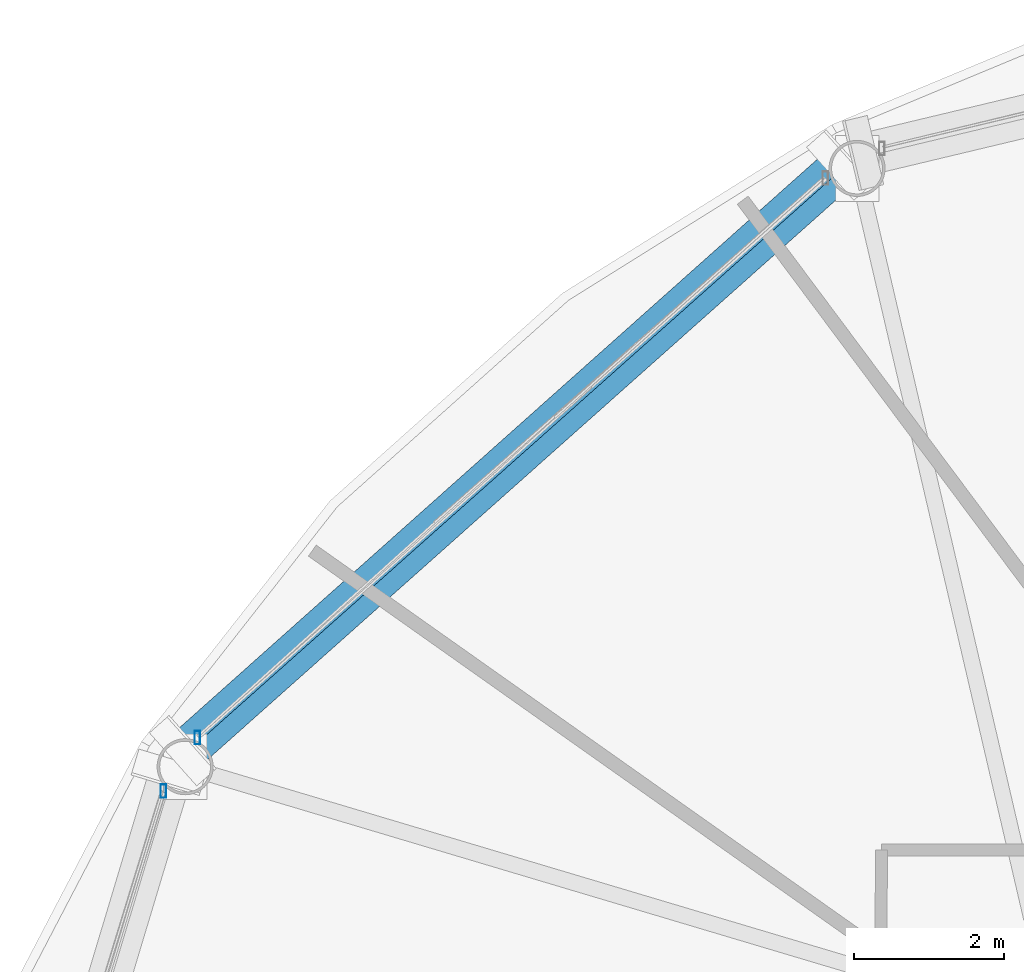
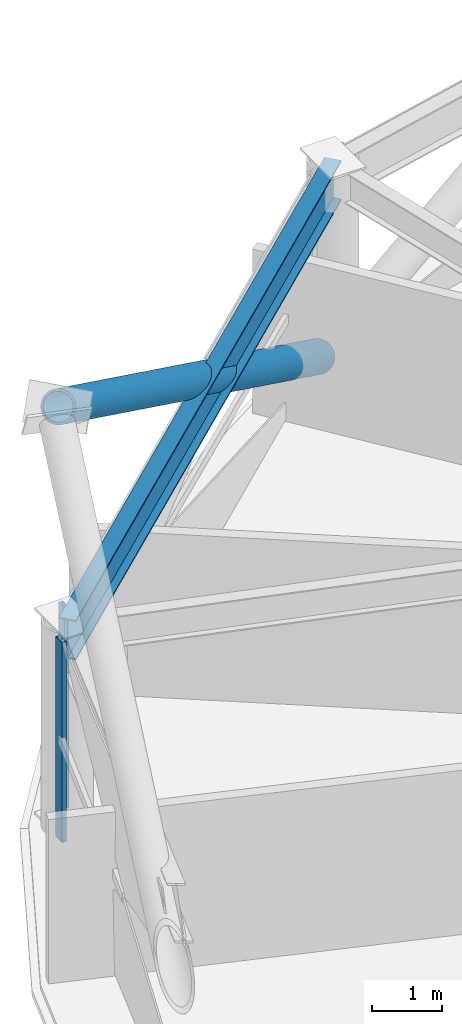
# One storey, part 13 of 29: 3 members, 1 beam, 2 elements without a shape of their own.
"""IFC4 building model written with IfcOpenShell, lengths in metres."""

from ifc_helpers import new_model, si_unit, direction, frame, origin, origin_2d, place, context, subcontext, project, spatial, hollow_rectangle, hollow_circle, i_section, extrude, material, layer, layer_set, material_profile, profile_set, type_object, element, aggregate, save


model = new_model("IFC4")

# Units and contexts
model_context = context("Model", 3, precision=1e-05, world=origin(), true_north=direction((0.0, 1.0)))
body_context = subcontext(model_context, "Body", "Model", "MODEL_VIEW")
ifc_project = project(units=[si_unit("LENGTHUNIT", "METRE"), si_unit("AREAUNIT", "SQUARE_METRE"), si_unit("VOLUMEUNIT", "CUBIC_METRE"), si_unit("PLANEANGLEUNIT", "RADIAN"), si_unit("MASSUNIT", "GRAM", prefix="KILO")], contexts=[model_context])

# Site, building, storey
site_placement = place(None, origin())
site = spatial("IfcSite", under=ifc_project, at=site_placement, CompositionType="ELEMENT")
building_placement = place(site_placement, origin())
building = spatial("IfcBuilding", under=site, at=building_placement, Name="Vantalir Tower", CompositionType="ELEMENT")
storey_placement = place(building_placement, frame((0.0, 0.0, 164.699951171875)))
storey = spatial("IfcBuildingStorey", under=building, at=storey_placement, Name="L41", CompositionType="ELEMENT", Elevation=164.699951171875)

# Beam
ifc_material_1 = material(Name="Steel S460", Category="steel")
ifc_material_profile_1 = material_profile(ifc_material_1, i_section(OverallWidth=0.256103515625, OverallDepth=0.693115234375, WebThickness=0.014404296875, FlangeThickness=0.023681640625, at=origin_2d()), Name="Steel S460")
ifc_profile_set_1 = profile_set([ifc_material_profile_1], Name="Steel S460")
beam_type = type_object("IfcBeamType", Name="BM-RG-686x254", PredefinedType="USERDEFINED", material=ifc_profile_set_1)
beam_placement = place(storey_placement, frame((19.23193359375, 43.9208984375, 3.22412109375), z_axis=(-0.746841140724, -0.66500248911, 0.0), x_axis=(0.66500248911, -0.746841140724, 0.0)))
element("IfcBeam", 1, at=beam_placement, inside=storey, type_object=beam_type, Name="L41 Circumferential Ring Girder 05", ObjectType="GIRDER", PredefinedType="USERDEFINED", context=body_context, shape_type="SweptSolid", body=[
    extrude(i_section(OverallWidth=0.256103515625, OverallDepth=0.693115234375, WebThickness=0.014404296875, FlangeThickness=0.023681640625, at=origin_2d()), origin(), (0.0, 0.0, 1.0), 12.025146484375),
])

# Curtain wall, member
ifc_material_2 = material(Name="Champagne-silver PVDF aluminium and double-silver Low-E glass", Category="aluminium")
ifc_layer = layer(ifc_material_2, 0.199951171875)
ifc_layer_set = layer_set([ifc_layer], Name="Champagne-silver PVDF aluminium and double-silver Low-E glass")
curtain_wall_type = type_object("IfcCurtainWallType", Name="CW-DIAMOND-Z2", PredefinedType="USERDEFINED", material=ifc_layer_set)
curtain_wall_1_placement = place(storey_placement, origin())
curtain_wall_1 = element("IfcCurtainWall", 2, at=curtain_wall_1_placement, inside=storey, type_object=curtain_wall_type, Name="L41 Quilted Pyramid-Diamond Curtain Wall S05", ObjectType="UNITISED CURTAIN WALL", PredefinedType="USERDEFINED")
ifc_material_3 = material(Name="Champagne-silver PVDF aluminium 6063-T6", Category="aluminium")
ifc_material_profile_2 = material_profile(ifc_material_3, hollow_rectangle(XDim=0.074951171875, YDim=0.179931640625, WallThickness=0.00390625, at=origin_2d()), Name="Champagne-silver PVDF aluminium 6063-T6")
ifc_profile_set_2 = profile_set([ifc_material_profile_2], Name="Champagne-silver PVDF aluminium 6063-T6")
member_type_1 = type_object("IfcMemberType", Name="CWM-180x75", PredefinedType="MULLION", material=ifc_profile_set_2)
member_1_placement = place(storey_placement, frame((10.4150390625, 36.31201171875, 0.045166015625), z_axis=(0.0, 0.0, 1.0), x_axis=(1.0, 0.0, 0.0)))
member_1 = element("IfcMember", 3, at=member_1_placement, type_object=member_type_1, Name="CW-L41-S05 Mullion 2", PredefinedType="MULLION", context=body_context, shape_type="SweptSolid", body=[
    extrude(hollow_rectangle(XDim=0.074951171875, YDim=0.179931640625, WallThickness=0.00390625, at=origin_2d()), origin(), (0.0, 0.0, 1.0), 3.47998046875),
])
aggregate(curtain_wall_1, [member_1])

curtain_wall_2_placement = place(storey_placement, origin())
curtain_wall_2 = element("IfcCurtainWall", 4, at=curtain_wall_2_placement, inside=storey, type_object=curtain_wall_type, Name="L41 Quilted Pyramid-Diamond Curtain Wall S06", ObjectType="UNITISED CURTAIN WALL", PredefinedType="USERDEFINED")
member_2_placement = place(storey_placement, frame((9.9599609375, 35.597900390625, 0.045166015625), z_axis=(0.0, 0.0, 1.0), x_axis=(1.0, 0.0, 0.0)))
member_2 = element("IfcMember", 5, at=member_2_placement, type_object=member_type_1, Name="CW-L41-S06 Mullion 1", PredefinedType="MULLION", context=body_context, shape_type="SweptSolid", body=[
    extrude(hollow_rectangle(XDim=0.074951171875, YDim=0.179931640625, WallThickness=0.00390625, at=origin_2d()), origin(), (0.0, 0.0, 1.0), 3.47998046875),
])
aggregate(curtain_wall_2, [member_2])

# Member
ifc_material_profile_3 = material_profile(ifc_material_1, hollow_circle(Radius=0.260009765625, WallThickness=0.0380859375, at=origin_2d()), Name="Steel S460")
ifc_profile_set_3 = profile_set([ifc_material_profile_3], Name="Steel S460")
member_type_2 = type_object("IfcMemberType", Name="MEM-DB-520x38", PredefinedType="BRACE", material=ifc_profile_set_3)
member_3_placement = place(storey_placement, frame((18.99609375, 43.958984375, 0.192138671875), z_axis=(-0.642832846563, -0.572882666568, 0.508499146239), x_axis=(0.665320659853, -0.746557713491, 0.0)))
element("IfcMember", 6, at=member_3_placement, inside=storey, type_object=member_type_2, Name="L41 Perimeter S460 Diagrid Brace R13L", PredefinedType="BRACE", context=body_context, shape_type="SweptSolid", body=[
    extrude(hollow_circle(Radius=0.260009765625, WallThickness=0.0380859375, at=origin_2d()), origin(), (0.0, 0.0, 1.0), 13.6396484375),
])

save(model, "model.ifc")
